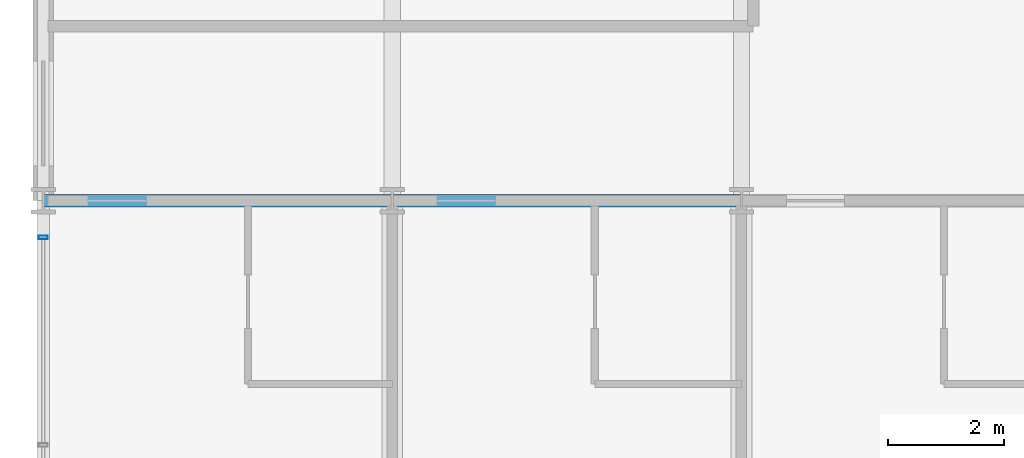
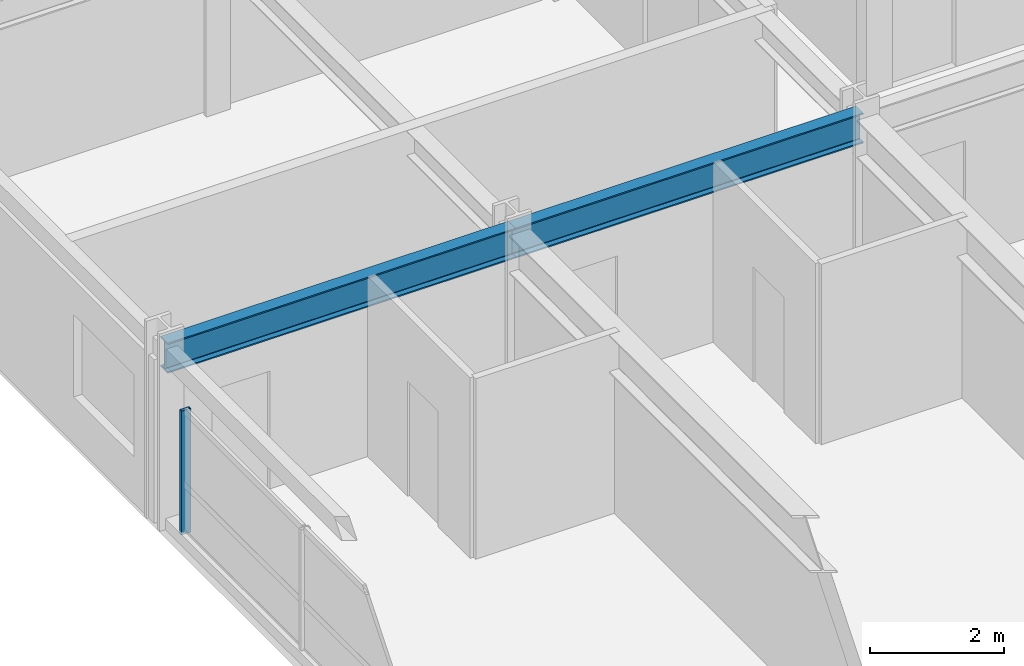
# One storey, part 4 of 27: 2 beams, 1 member, 1 element without a shape of its own.
"""IFC4 building model written with IfcOpenShell, lengths in metres."""

from ifc_helpers import new_model, si_unit, direction, frame, origin, origin_2d, place, context, subcontext, project, spatial, hollow_rectangle, i_section, extrude, material, material_profile, profile_set, type_object, element, aggregate, save


model = new_model("IFC4")

# Units and contexts
model_context = context("Model", 3, precision=1e-05, world=origin(), true_north=direction((0.0, 1.0)))
body_context = subcontext(model_context, "Body", "Model", "MODEL_VIEW")
ifc_project = project(units=[si_unit("LENGTHUNIT", "METRE"), si_unit("AREAUNIT", "SQUARE_METRE"), si_unit("VOLUMEUNIT", "CUBIC_METRE"), si_unit("PLANEANGLEUNIT", "RADIAN"), si_unit("MASSUNIT", "GRAM", prefix="KILO")], contexts=[model_context])

# Site, building, storey
site_placement = place(None, origin())
site = spatial("IfcSite", under=ifc_project, at=site_placement, CompositionType="ELEMENT")
building_placement = place(site_placement, origin())
building = spatial("IfcBuilding", under=site, at=building_placement, Name="Kaldorvane Square Convention Centre", CompositionType="ELEMENT")
storey_placement = place(building_placement, frame((0.0, 0.0, 38.399993896484375)))
storey = spatial("IfcBuildingStorey", under=building, at=storey_placement, Name="L08", CompositionType="ELEMENT", Elevation=38.399993896484375)

# Beams
ifc_material_1 = material(Name="Steel ASTM A992 Gr. 50", Category="steel")
ifc_material_profile_1 = material_profile(ifc_material_1, i_section(OverallWidth=0.213897705078125, OverallDepth=0.549102783203125, WebThickness=0.0146942138671875, FlangeThickness=0.0236053466796875, FilletRadius=0.0126953125, at=origin_2d()), Name="W21X93")
ifc_profile_set_1 = profile_set([ifc_material_profile_1], Name="Steel ASTM A992 Gr. 50")
beam_type = type_object("IfcBeamType", Name="BM-GR-W21X93", PredefinedType="BEAM", material=ifc_profile_set_1)
for number, where, z_axis, x_axis, name in (
    (1, (24.0, 96.0, 3.011505126953125), (1.0, 0.0, 0.0), (0.0, 1.0, 0.0), "Primary Girder (L08)"),
    (2, (30.0, 96.0, 3.011505126953125), (1.0, 0.0, 0.0), (0.0, 1.0, 0.0), "Primary Girder (L08)"),
):
    element("IfcBeam", number, at=place(storey_placement, frame(where, z_axis=z_axis, x_axis=x_axis)), inside=storey, type_object=beam_type, Name=name, PredefinedType="BEAM", context=body_context, shape_type="SweptSolid", body=[
        extrude(i_section(OverallWidth=0.213897705078125, OverallDepth=0.549102783203125, WebThickness=0.0146942138671875, FlangeThickness=0.0236053466796875, FilletRadius=0.0126953125, at=origin_2d()), origin(), (0.0, 0.0, 1.0), 6.0),
    ])

# Curtain wall, member
ifc_material_2 = material(Name="Anodized Aluminum and Low-E Insulated Glazing", Category="aluminium")
curtain_wall_type = type_object("IfcCurtainWallType", Name="CW-UNI-HTL-B", PredefinedType="USERDEFINED", material=ifc_material_2)
curtain_wall_placement = place(storey_placement, origin())
curtain_wall = element("IfcCurtainWall", 3, at=curtain_wall_placement, inside=storey, type_object=curtain_wall_type, Name="Curtain Wall CW-11 (L08)", ObjectType="UNITISED GLAZING", PredefinedType="USERDEFINED")
ifc_material_profile_2 = material_profile(ifc_material_2, hollow_rectangle(XDim=0.05999755859375, YDim=0.160003662109375, WallThickness=0.003204345703125, at=origin_2d()), Name="CWM-160X60")
ifc_profile_set_2 = profile_set([ifc_material_profile_2], Name="Anodized Aluminum and Low-E Insulated Glazing")
member_type = type_object("IfcMemberType", Name="CW-MUL-160", PredefinedType="MULLION", material=ifc_profile_set_2)
member_placement = place(storey_placement, frame((24.0, 95.3699951171875, 0.1500091552734375), z_axis=(0.0, 0.0, 1.0), x_axis=(0.0, -1.0, 0.0)))
member = element("IfcMember", 4, at=member_placement, type_object=member_type, Name="CW-11 mullion 1", PredefinedType="MULLION", context=body_context, shape_type="SweptSolid", body=[
    extrude(hollow_rectangle(XDim=0.05999755859375, YDim=0.160003662109375, WallThickness=0.003204345703125, at=origin_2d()), origin(), (0.0, 0.0, 1.0), 2.2599945068359375),
])
aggregate(curtain_wall, [member])

save(model, "model.ifc")
